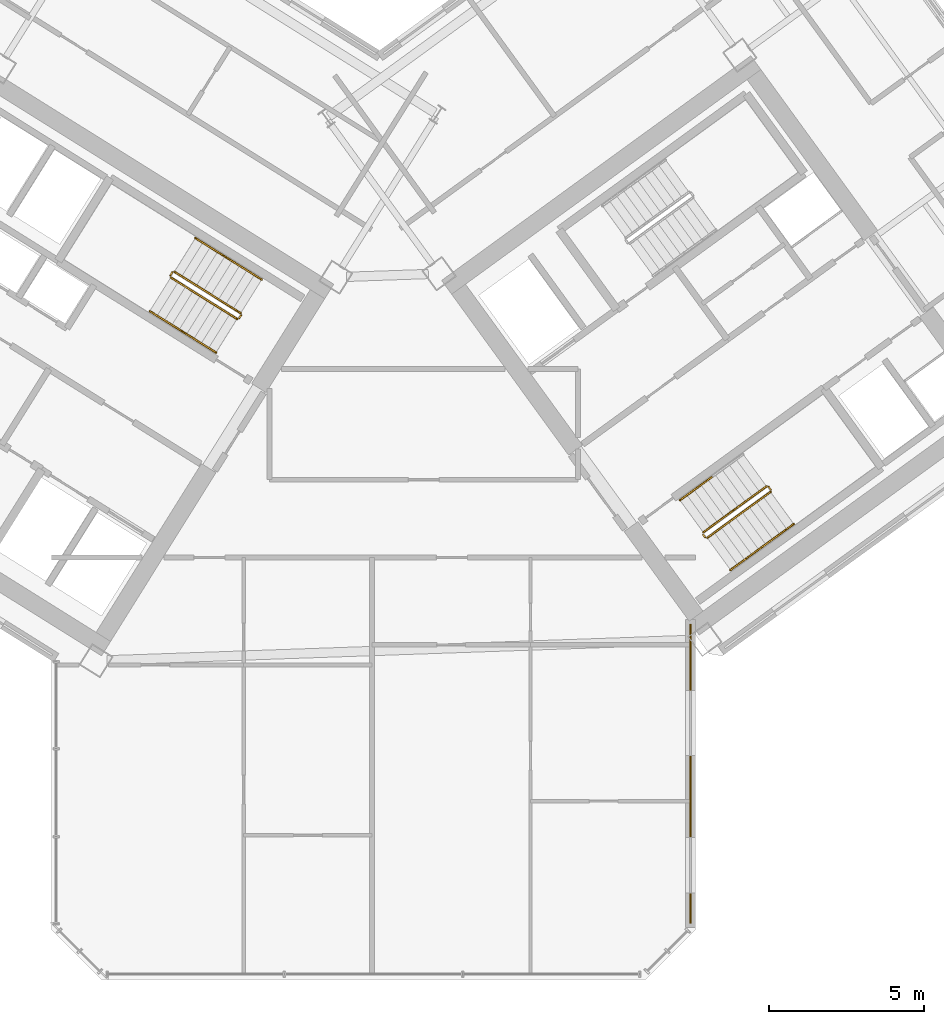
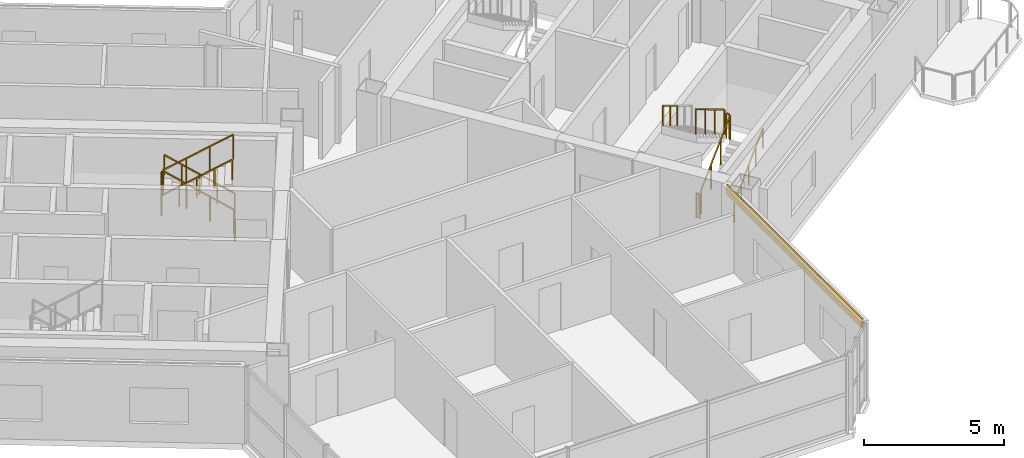
# One storey, part 19 of 21: 15 railings, 1 covering.
"""IFC4 building model written with IfcOpenShell, lengths in metres."""

from ifc_helpers import new_model, si_unit, direction, frame, origin, origin_2d, place, context, subcontext, project, spatial, rectangle, extrude, source, transform, mapped, material, layer, layer_set, type_object, element, save


model = new_model("IFC4")

# Units and contexts
model_context = context("Model", 3, precision=1e-05, world=origin(), true_north=direction((0.0, 1.0)))
body_context = subcontext(model_context, "Body", "Model", "MODEL_VIEW")
ifc_project = project(units=[si_unit("LENGTHUNIT", "METRE"), si_unit("AREAUNIT", "SQUARE_METRE"), si_unit("VOLUMEUNIT", "CUBIC_METRE"), si_unit("PLANEANGLEUNIT", "RADIAN"), si_unit("MASSUNIT", "GRAM", prefix="KILO")], contexts=[model_context])

# Site, building, storey
site_placement = place(None, origin())
site = spatial("IfcSite", under=ifc_project, at=site_placement, CompositionType="ELEMENT")
building_placement = place(site_placement, origin())
building = spatial("IfcBuilding", under=site, at=building_placement, Name="Tlacorven Tower", CompositionType="ELEMENT")
storey_placement = place(building_placement, frame((0.0, 0.0, 184.199951171875)))
storey = spatial("IfcBuildingStorey", under=building, at=storey_placement, Name="L46", CompositionType="ELEMENT", Elevation=184.199951171875)

# Covering
ifc_material_1 = material(Name="Precast concrete C45/55", Category="concrete")
ifc_layer = layer(ifc_material_1, 0.06005859375)
ifc_layer_set = layer_set([ifc_layer], Name="Precast concrete C45/55")
covering_type = type_object("IfcCoveringType", Name="CV-CLD-TERC", PredefinedType="CLADDING", material=ifc_layer_set)
shared_shape_1 = source(origin(), body_context, "Body", "SweptSolid", [
    extrude(rectangle(XDim=9.647705078125, YDim=0.06005859375, at=origin_2d()), origin(), (0.0, 0.0, 1.0), 0.419921875),
])
covering_placement = place(storey_placement, frame((52.239990234375, 8.440185546875, 2.93017578125), z_axis=(0.0, 0.0, 1.0), x_axis=(0.0, -1.0, 0.0)))
element("IfcCovering", 1, at=covering_placement, inside=storey, type_object=covering_type, Name="L46 Masonry-Frame Spandrel Cladding 7", PredefinedType="CLADDING", context=body_context, shape_type="MappedRepresentation", body=[
    mapped(shared_shape_1, transform((0.0, 0.0, 0.0), scale=1.0)),
])

# Railings
ifc_material_2 = material(Name="Aluminium and painted steel balustrade", Category="steel")
railing_type_1 = type_object("IfcRailingType", Name="RL-GRD-1100", PredefinedType="GUARDRAIL", material=ifc_material_2)
shared_shape_2 = source(origin(), body_context, "Body", "SweptSolid", [
    extrude(rectangle(XDim=0.048095703125, YDim=0.048095703125, at=origin_2d()), frame((0.0, 0.0, 1.076171875), z_axis=(-0.713319727316, 0.445773895627, 0.540796265334), x_axis=(-0.529955395941, -0.84802551749, 0.0)), (0.0, 0.0, 1.0), 2.995849609375),
    extrude(rectangle(XDim=0.0419921875, YDim=0.0419921875, at=origin_2d()), origin(), (0.0, 0.0, 1.0), 1.052001953125),
    extrude(rectangle(XDim=0.0419921875, YDim=0.0419921875, at=origin_2d()), frame((-0.71240234375, 0.445068359375, 0.5400390625)), (0.0, 0.0, 1.0), 1.052001953125),
    extrude(rectangle(XDim=0.0419921875, YDim=0.0419921875, at=origin_2d()), frame((-1.424560546875, 0.890380859375, 1.080078125)), (0.0, 0.0, 1.0), 1.052001953125),
    extrude(rectangle(XDim=0.0419921875, YDim=0.0419921875, at=origin_2d()), frame((-2.136962890625, 1.33544921875, 1.6201171875)), (0.0, 0.0, 1.0), 1.052001953125),
])
railing_1_placement = place(storey_placement, frame((37.712158203125, 23.3095703125, 0.179931640625)))
element("IfcRailing", 2, at=railing_1_placement, inside=storey, type_object=railing_type_1, Name="L46 ST-W2 stair guard 1", PredefinedType="GUARDRAIL", context=body_context, shape_type="MappedRepresentation", body=[
    mapped(shared_shape_2, transform((0.0, 0.0, 0.0), scale=1.0)),
])
shared_shape_3 = source(origin(), body_context, "Body", "SweptSolid", [
    extrude(rectangle(XDim=0.048095703125, YDim=0.048095703125, at=origin_2d()), frame((0.0, 0.0, 1.076171875), z_axis=(-0.530546985787, -0.847655529016, 0.0), x_axis=(0.847655529016, -0.530546985787, 0.0)), (0.0, 0.0, 1.0), 0.1201171875),
    extrude(rectangle(XDim=0.0419921875, YDim=0.0419921875, at=origin_2d()), origin(), (0.0, 0.0, 1.0), 1.052001953125),
    extrude(rectangle(XDim=0.0419921875, YDim=0.0419921875, at=origin_2d()), frame((-0.063720703125, -0.101806640625, 0.0)), (0.0, 0.0, 1.0), 1.052001953125),
])
railing_2_placement = place(storey_placement, frame((37.728271484375, 23.24072265625, 0.0)))
element("IfcRailing", 3, at=railing_2_placement, inside=storey, type_object=railing_type_1, Name="L46 ST-W2 stair guard 4", PredefinedType="GUARDRAIL", context=body_context, shape_type="MappedRepresentation", body=[
    mapped(shared_shape_3, transform((0.0, 0.0, 0.0), scale=1.0)),
])
railing_type_2 = type_object("IfcRailingType", Name="RL-HND-0900", PredefinedType="HANDRAIL", material=ifc_material_2)
shared_shape_4 = source(origin(), body_context, "Body", "SweptSolid", [
    extrude(rectangle(XDim=0.048095703125, YDim=0.048095703125, at=origin_2d()), frame((0.0, 0.0, 0.8759765625), z_axis=(-0.713359751793, 0.4457479829, 0.540764828981), x_axis=(-0.529911857636, -0.848052724267, 0.0)), (0.0, 0.0, 1.0), 1.498046875),
    extrude(rectangle(XDim=0.0419921875, YDim=0.0419921875, at=origin_2d()), origin(), (0.0, 0.0, 1.0), 0.851806640625),
    extrude(rectangle(XDim=0.0419921875, YDim=0.0419921875, at=origin_2d()), frame((-0.5341796875, 0.333984375, 0.405029296875)), (0.0, 0.0, 1.0), 0.851806640625),
    extrude(rectangle(XDim=0.0419921875, YDim=0.0419921875, at=origin_2d()), frame((-1.068603515625, 0.667724609375, 0.81005859375)), (0.0, 0.0, 1.0), 0.851806640625),
])
for number, where, name in (
    (4, (38.390625, 24.39501953125, 0.179931640625), "L46 ST-W2 stair handrail 1"),
    (5, (37.322021484375, 25.062744140625, 0.989990234375), "L46 ST-W2 stair handrail 2"),
):
    element("IfcRailing", number, at=place(storey_placement, frame(where)), inside=storey, type_object=railing_type_2, Name=name, PredefinedType="HANDRAIL", context=body_context, shape_type="MappedRepresentation", body=[
        mapped(shared_shape_4, transform((0.0, 0.0, 0.0), scale=1.0)),
    ])
shared_shape_5 = source(origin(), body_context, "Body", "SweptSolid", [
    extrude(rectangle(XDim=0.048095703125, YDim=0.048095703125, at=origin_2d()), frame((0.0, 0.0, 0.8759765625), z_axis=(0.713359751793, -0.4457479829, 0.540764828981), x_axis=(0.529911857636, 0.848052724267, 0.0)), (0.0, 0.0, 1.0), 1.498046875),
    extrude(rectangle(XDim=0.0419921875, YDim=0.0419921875, at=origin_2d()), origin(), (0.0, 0.0, 1.0), 0.851806640625),
    extrude(rectangle(XDim=0.0419921875, YDim=0.0419921875, at=origin_2d()), frame((0.5341796875, -0.333984375, 0.405029296875)), (0.0, 0.0, 1.0), 0.851806640625),
    extrude(rectangle(XDim=0.0419921875, YDim=0.0419921875, at=origin_2d()), frame((1.068603515625, -0.667724609375, 0.81005859375)), (0.0, 0.0, 1.0), 0.851806640625),
])
for number, where, name in (
    (6, (34.7802734375, 23.372802734375, 1.97998046875), "L46 ST-W2 stair handrail 3"),
    (7, (35.848876953125, 22.705078125, 2.7900390625), "L46 ST-W2 stair handrail 4"),
):
    element("IfcRailing", number, at=place(storey_placement, frame(where)), inside=storey, type_object=railing_type_2, Name=name, PredefinedType="HANDRAIL", context=body_context, shape_type="MappedRepresentation", body=[
        mapped(shared_shape_5, transform((0.0, 0.0, 0.0), scale=1.0)),
    ])
shared_shape_6 = source(origin(), body_context, "Body", "SweptSolid", [
    extrude(rectangle(XDim=0.048095703125, YDim=0.048095703125, at=origin_2d()), frame((0.0, 0.0, 1.076171875), z_axis=(-0.531462422766, -0.847081869236, 0.0), x_axis=(0.847081869236, -0.531462422766, 0.0)), (0.0, 0.0, 1.0), 0.119873046875),
    extrude(rectangle(XDim=0.0419921875, YDim=0.0419921875, at=origin_2d()), origin(), (0.0, 0.0, 1.0), 1.052001953125),
    extrude(rectangle(XDim=0.0419921875, YDim=0.0419921875, at=origin_2d()), frame((-0.063720703125, -0.1015625, 0.0)), (0.0, 0.0, 1.0), 1.052001953125),
])
railing_3_placement = place(storey_placement, frame((35.50634765625, 24.62890625, 1.800048828125)))
element("IfcRailing", 8, at=railing_3_placement, inside=storey, type_object=railing_type_1, Name="L46 ST-W2 stair guard 2", PredefinedType="GUARDRAIL", context=body_context, shape_type="MappedRepresentation", body=[
    mapped(shared_shape_6, transform((0.0, 0.0, 0.0), scale=1.0)),
])
shared_shape_7 = source(origin(), body_context, "Body", "SweptSolid", [
    extrude(rectangle(XDim=0.048095703125, YDim=0.048095703125, at=origin_2d()), frame((0.0, 0.0, 1.076171875), z_axis=(0.713385662783, -0.445682681033, 0.540784470897), x_axis=(0.52984217967, 0.848096259066, 0.0)), (0.0, 0.0, 1.0), 2.995849609375),
    extrude(rectangle(XDim=0.0419921875, YDim=0.0419921875, at=origin_2d()), origin(), (0.0, 0.0, 1.0), 1.052001953125),
    extrude(rectangle(XDim=0.0419921875, YDim=0.0419921875, at=origin_2d()), frame((0.71240234375, -0.445068359375, 0.5400390625)), (0.0, 0.0, 1.0), 1.052001953125),
    extrude(rectangle(XDim=0.0419921875, YDim=0.0419921875, at=origin_2d()), frame((1.4248046875, -0.89013671875, 1.080078125)), (0.0, 0.0, 1.0), 1.052001953125),
    extrude(rectangle(XDim=0.0419921875, YDim=0.0419921875, at=origin_2d()), frame((2.13720703125, -1.335205078125, 1.6201171875)), (0.0, 0.0, 1.0), 1.052001953125),
])
railing_4_placement = place(storey_placement, frame((35.45849609375, 24.458251953125, 1.97998046875)))
element("IfcRailing", 9, at=railing_4_placement, inside=storey, type_object=railing_type_1, Name="L46 ST-W2 stair guard 3", PredefinedType="GUARDRAIL", context=body_context, shape_type="MappedRepresentation", body=[
    mapped(shared_shape_7, transform((0.0, 0.0, 0.0), scale=1.0)),
])
shared_shape_8 = source(origin(), body_context, "Body", "SweptSolid", [
    extrude(rectangle(XDim=0.048095703125, YDim=0.048095703125, at=origin_2d()), frame((0.0, 0.0, 1.076171875), z_axis=(-0.587567097037, 0.809175448515, 0.0), x_axis=(-0.809175448515, -0.587567097037, 0.0)), (0.0, 0.0, 1.0), 0.1201171875),
    extrude(rectangle(XDim=0.0419921875, YDim=0.0419921875, at=origin_2d()), origin(), (0.0, 0.0, 1.0), 1.052001953125),
    extrude(rectangle(XDim=0.0419921875, YDim=0.0419921875, at=origin_2d()), frame((-0.070556640625, 0.09716796875, 0.0)), (0.0, 0.0, 1.0), 1.052001953125),
])
for number, where, name in (
    (10, (54.8310546875, 17.605712890625, 1.800048828125), "L46 ST-E2 stair guard 2"),
    (11, (52.71142578125, 16.065673828125, 0.0), "L46 ST-E2 stair guard 4"),
):
    element("IfcRailing", number, at=place(storey_placement, frame(where)), inside=storey, type_object=railing_type_1, Name=name, PredefinedType="GUARDRAIL", context=body_context, shape_type="MappedRepresentation", body=[
        mapped(shared_shape_8, transform((0.0, 0.0, 0.0), scale=1.0)),
    ])
shared_shape_9 = source(origin(), body_context, "Body", "SweptSolid", [
    extrude(rectangle(XDim=0.048095703125, YDim=0.048095703125, at=origin_2d()), frame((0.0, 0.0, 0.8759765625), z_axis=(0.680516055757, 0.494372502302, 0.540826891737), x_axis=(-0.587745292299, 0.809046025502, 0.0)), (0.0, 0.0, 1.0), 1.497802734375),
    extrude(rectangle(XDim=0.0419921875, YDim=0.0419921875, at=origin_2d()), origin(), (0.0, 0.0, 1.0), 0.851806640625),
    extrude(rectangle(XDim=0.0419921875, YDim=0.0419921875, at=origin_2d()), frame((0.509765625, 0.3701171875, 0.405029296875)), (0.0, 0.0, 1.0), 0.851806640625),
    extrude(rectangle(XDim=0.0419921875, YDim=0.0419921875, at=origin_2d()), frame((1.019287109375, 0.740478515625, 0.81005859375)), (0.0, 0.0, 1.0), 0.851806640625),
])
railing_5_placement = place(storey_placement, frame((54.552978515625, 15.759765625, 0.989990234375)))
element("IfcRailing", 12, at=railing_5_placement, inside=storey, type_object=railing_type_2, Name="L46 ST-E2 stair handrail 2", PredefinedType="HANDRAIL", context=body_context, shape_type="MappedRepresentation", body=[
    mapped(shared_shape_9, transform((0.0, 0.0, 0.0), scale=1.0)),
])
shared_shape_10 = source(origin(), body_context, "Body", "SweptSolid", [
    extrude(rectangle(XDim=0.048095703125, YDim=0.048095703125, at=origin_2d()), frame((0.0, 0.0, 0.8759765625), z_axis=(-0.680461216233, -0.494495647917, 0.540783309093), x_axis=(0.587872112667, -0.808953879494, 0.0)), (0.0, 0.0, 1.0), 1.498046875),
    extrude(rectangle(XDim=0.0419921875, YDim=0.0419921875, at=origin_2d()), origin(), (0.0, 0.0, 1.0), 0.851806640625),
    extrude(rectangle(XDim=0.0419921875, YDim=0.0419921875, at=origin_2d()), frame((-0.509765625, -0.370361328125, 0.405029296875)), (0.0, 0.0, 1.0), 0.851806640625),
    extrude(rectangle(XDim=0.0419921875, YDim=0.0419921875, at=origin_2d()), frame((-1.019287109375, -0.74072265625, 0.81005859375)), (0.0, 0.0, 1.0), 0.851806640625),
])
railing_6_placement = place(storey_placement, frame((52.9189453125, 18.0087890625, 2.7900390625)))
element("IfcRailing", 13, at=railing_6_placement, inside=storey, type_object=railing_type_2, Name="L46 ST-E2 stair handrail 4", PredefinedType="HANDRAIL", context=body_context, shape_type="MappedRepresentation", body=[
    mapped(shared_shape_10, transform((0.0, 0.0, 0.0), scale=1.0)),
])
shared_shape_11 = source(origin(), body_context, "Body", "SweptSolid", [
    extrude(rectangle(XDim=0.048095703125, YDim=0.048095703125, at=origin_2d()), frame((0.0, 0.0, 1.076171875), z_axis=(0.680532390839, 0.494406659708, 0.54077511024), x_axis=(-0.587762637553, 0.809033424462, 0.0)), (0.0, 0.0, 1.0), 2.995849609375),
    extrude(rectangle(XDim=0.0419921875, YDim=0.0419921875, at=origin_2d()), origin(), (0.0, 0.0, 1.0), 1.052001953125),
    extrude(rectangle(XDim=0.0419921875, YDim=0.0419921875, at=origin_2d()), frame((0.6796875, 0.49365234375, 0.5400390625)), (0.0, 0.0, 1.0), 1.052001953125),
    extrude(rectangle(XDim=0.0419921875, YDim=0.0419921875, at=origin_2d()), frame((1.359130859375, 0.987548828125, 1.080078125)), (0.0, 0.0, 1.0), 1.052001953125),
    extrude(rectangle(XDim=0.0419921875, YDim=0.0419921875, at=origin_2d()), frame((2.038818359375, 1.481201171875, 1.6201171875)), (0.0, 0.0, 1.0), 1.052001953125),
])
railing_7_placement = place(storey_placement, frame((52.78125, 16.0546875, 0.179931640625)))
element("IfcRailing", 14, at=railing_7_placement, inside=storey, type_object=railing_type_1, Name="L46 ST-E2 stair guard 1", PredefinedType="GUARDRAIL", context=body_context, shape_type="MappedRepresentation", body=[
    mapped(shared_shape_11, transform((0.0, 0.0, 0.0), scale=1.0)),
])
shared_shape_12 = source(origin(), body_context, "Body", "SweptSolid", [
    extrude(rectangle(XDim=0.048095703125, YDim=0.048095703125, at=origin_2d()), frame((0.0, 0.0, 1.076171875), z_axis=(-0.680532390839, -0.494406659708, 0.54077511024), x_axis=(0.587762637553, -0.809033424462, 0.0)), (0.0, 0.0, 1.0), 2.995849609375),
    extrude(rectangle(XDim=0.0419921875, YDim=0.0419921875, at=origin_2d()), origin(), (0.0, 0.0, 1.0), 1.052001953125),
    extrude(rectangle(XDim=0.0419921875, YDim=0.0419921875, at=origin_2d()), frame((-0.6796875, -0.49365234375, 0.5400390625)), (0.0, 0.0, 1.0), 1.052001953125),
    extrude(rectangle(XDim=0.0419921875, YDim=0.0419921875, at=origin_2d()), frame((-1.359130859375, -0.987548828125, 1.080078125)), (0.0, 0.0, 1.0), 1.052001953125),
    extrude(rectangle(XDim=0.0419921875, YDim=0.0419921875, at=origin_2d()), frame((-2.038818359375, -1.481201171875, 1.6201171875)), (0.0, 0.0, 1.0), 1.052001953125),
])
railing_8_placement = place(storey_placement, frame((54.690673828125, 17.7138671875, 1.97998046875)))
element("IfcRailing", 15, at=railing_8_placement, inside=storey, type_object=railing_type_1, Name="L46 ST-E2 stair guard 3", PredefinedType="GUARDRAIL", context=body_context, shape_type="MappedRepresentation", body=[
    mapped(shared_shape_12, transform((0.0, 0.0, 0.0), scale=1.0)),
])
shared_shape_13 = source(origin(), body_context, "Body", "SweptSolid", [
    extrude(rectangle(XDim=0.048095703125, YDim=0.048095703125, at=origin_2d()), frame((0.0, 0.0, 0.8759765625), z_axis=(0.680461216233, 0.494495647917, 0.540783309093), x_axis=(-0.587872112667, 0.808953879494, 0.0)), (0.0, 0.0, 1.0), 1.498046875),
    extrude(rectangle(XDim=0.0419921875, YDim=0.0419921875, at=origin_2d()), origin(), (0.0, 0.0, 1.0), 0.851806640625),
    extrude(rectangle(XDim=0.0419921875, YDim=0.0419921875, at=origin_2d()), frame((0.509765625, 0.370361328125, 0.405029296875)), (0.0, 0.0, 1.0), 0.851806640625),
    extrude(rectangle(XDim=0.0419921875, YDim=0.0419921875, at=origin_2d()), frame((1.019287109375, 0.74072265625, 0.81005859375)), (0.0, 0.0, 1.0), 0.851806640625),
])
railing_9_placement = place(storey_placement, frame((53.53369140625, 15.01904296875, 0.179931640625)))
element("IfcRailing", 16, at=railing_9_placement, inside=storey, type_object=railing_type_2, Name="L46 ST-E2 stair handrail 1", PredefinedType="HANDRAIL", context=body_context, shape_type="MappedRepresentation", body=[
    mapped(shared_shape_13, transform((0.0, 0.0, 0.0), scale=1.0)),
])

save(model, "model.ifc")
